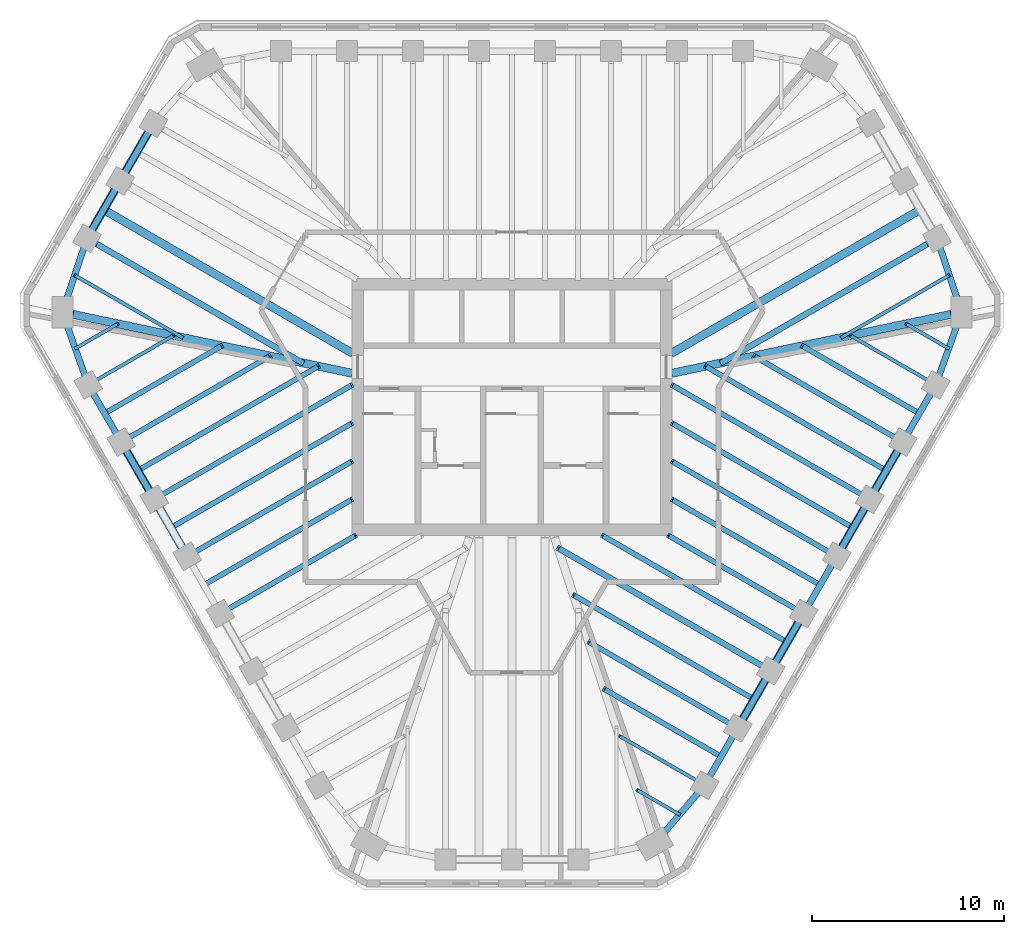
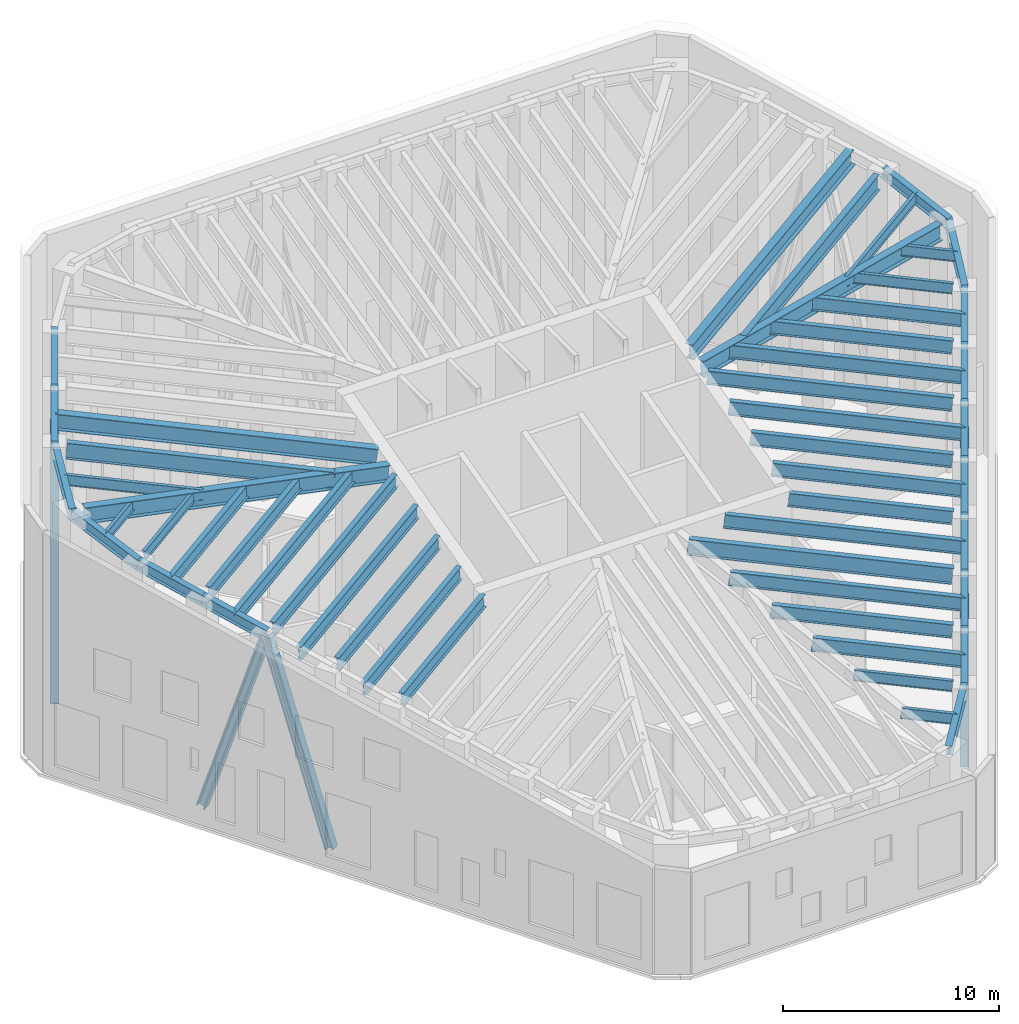
# One storey, part 2 of 9: 51 beams, 8 members.
"""IFC4 building model written with IfcOpenShell, lengths in metres."""

import ifcopenshell
import ifcopenshell.guid

model = None  # the IFC model being written
_history = None  # IfcOwnerHistory: only IFC2X3 demands one
_inside = {}  # id of a spatial element -> (the spatial element, [elements in it])
_under = {}  # id of a project, library or spatial element -> (it, [spatial elements below it])
_declared = {}  # id of a project -> (the project, [libraries it declares])
_typed = {}  # id of a type object -> (the type object, [elements of that type])
_made_of = {}  # id of a material, layer set ... -> (it, [elements and type objects made of it])


def new_model(schema):
    """Start an empty IFC model of exactly this schema.

    Asked for "IFC4X3", IfcOpenShell would pick the latest addendum, in which some entities
    have other attributes; the version numbers below select the first issue.
    IFC2X3 requires an IfcOwnerHistory on every rooted entity: one is made here for all.
    """
    global model, _history
    if schema == "IFC4X3":
        model = ifcopenshell.file(schema_version=(4, 3, 0, 0))
    else:
        model = ifcopenshell.file(schema=schema)
    _inside.clear()
    _under.clear()
    _declared.clear()
    _typed.clear()
    _made_of.clear()
    _history = None
    if model.schema == "IFC2X3":
        org = make("IfcOrganization", Name="unknown")
        user = make(
            "IfcPersonAndOrganization",
            ThePerson=make("IfcPerson", FamilyName="unknown"),
            TheOrganization=org,
        )
        app = make(
            "IfcApplication",
            ApplicationDeveloper=org,
            Version="unknown",
            ApplicationFullName="unknown",
            ApplicationIdentifier="unknown",
        )
        _history = make(
            "IfcOwnerHistory",
            OwningUser=user,
            OwningApplication=app,
            ChangeAction="ADDED",
            CreationDate=0,
        )
    return model


def make(cls, **values):
    """One entity of the class cls with the attributes given. An attribute that is None is left unset."""
    return model.create_entity(
        cls, **{name: value for name, value in values.items() if value is not None}
    )


def rooted(cls, **values):
    """An entity with a GlobalId (a new one), such as an element, a storey or a relation."""
    return make(cls, GlobalId=ifcopenshell.guid.new(), OwnerHistory=_history, **values)


def si_unit(unit_type, name, prefix=None):
    """IfcSIUnit, for example si_unit("LENGTHUNIT", "METRE", prefix="MILLI")."""
    return make("IfcSIUnit", UnitType=unit_type, Prefix=prefix, Name=name)


def assignment(units):
    """IfcUnitAssignment: the units of a project."""
    return None if units is None else make("IfcUnitAssignment", Units=units)


def point(xyz):
    """IfcCartesianPoint."""
    return None if xyz is None else make("IfcCartesianPoint", Coordinates=xyz)


def direction(xyz):
    """IfcDirection."""
    return None if xyz is None else make("IfcDirection", DirectionRatios=xyz)


def frame(location, z_axis=None, x_axis=None):
    """IfcAxis2Placement3D, a coordinate frame: its origin and axes. An axis left out is left unset."""
    return make(
        "IfcAxis2Placement3D",
        Location=point(location),
        Axis=direction(z_axis),
        RefDirection=direction(x_axis),
    )


def frame_2d(location, x_axis=None):
    """IfcAxis2Placement2D, a coordinate frame in the plane: its origin and x axis."""
    return make(
        "IfcAxis2Placement2D", Location=point(location), RefDirection=direction(x_axis)
    )


def origin():
    """The frame at (0, 0, 0) with its axes left unset."""
    return frame((0.0, 0.0, 0.0))


def origin_2d():
    """The frame at (0, 0) in the plane with its x axis left unset."""
    return frame_2d((0.0, 0.0))


def place(relative_to, where):
    """IfcLocalPlacement: puts the frame where relative to a parent placement (None: the world)."""
    return make(
        "IfcLocalPlacement", PlacementRelTo=relative_to, RelativePlacement=where
    )


def context(
    kind, dimensions, precision=None, world=None, true_north=None, identifier=None
):
    """IfcGeometricRepresentationContext, for example the 3D "Model" context."""
    return make(
        "IfcGeometricRepresentationContext",
        ContextIdentifier=identifier,
        ContextType=kind,
        CoordinateSpaceDimension=dimensions,
        Precision=precision,
        WorldCoordinateSystem=world,
        TrueNorth=true_north,
    )


def subcontext(parent, identifier, kind, view, scale=None):
    """IfcGeometricRepresentationSubContext, for example "Body" below "Model"."""
    return make(
        "IfcGeometricRepresentationSubContext",
        ContextIdentifier=identifier,
        ContextType=kind,
        ParentContext=parent,
        TargetScale=scale,
        TargetView=view,
    )


def project(units=None, contexts=None):
    """IfcProject with its units and contexts."""
    return rooted(
        "IfcProject",
        Name="project",
        RepresentationContexts=contexts,
        UnitsInContext=assignment(units),
    )


def spatial(cls, under=None, at=None, **own):
    """A site, building, storey or space (cls), placed at a placement, below another one or the project."""
    s = rooted(cls, ObjectPlacement=at, **own)
    if under is not None:
        _under.setdefault(under.id(), (under, []))[1].append(s)
    return s


def profile(cls, at=None, kind="AREA", **sizes):
    """A parametric profile (cls). Its sizes go by their IFC names, for example OverallWidth=200.0."""
    return make(cls, ProfileType=kind, Position=at, **sizes)


def i_section(**sizes):
    """IfcIShapeProfileDef."""
    return profile("IfcIShapeProfileDef", **sizes)


def extrude(swept, where, along, depth):
    """IfcExtrudedAreaSolid: the profile swept, set in the frame where, extruded along a direction by depth."""
    return make(
        "IfcExtrudedAreaSolid",
        SweptArea=swept,
        Position=where,
        ExtrudedDirection=direction(along),
        Depth=depth,
    )


def shape(context_of_items, identifier, shape_type, items):
    """IfcShapeRepresentation: the items that make up one representation, for example the "Body"."""
    return make(
        "IfcShapeRepresentation",
        ContextOfItems=context_of_items,
        RepresentationIdentifier=identifier,
        RepresentationType=shape_type,
        Items=items,
    )


def material(Name=None, Category=None):
    """IfcMaterial."""
    return make("IfcMaterial", Name=Name, Category=Category)


def material_profile(
    of_material, cross_section, Name=None, Category=None, Priority=None
):
    """IfcMaterialProfile: a cross section and its material."""
    return make(
        "IfcMaterialProfile",
        Name=Name,
        Material=of_material,
        Profile=cross_section,
        Priority=Priority,
        Category=Category,
    )


def profile_set(profiles, Name=None, composite=None):
    """IfcMaterialProfileSet."""
    return make(
        "IfcMaterialProfileSet",
        Name=Name,
        MaterialProfiles=profiles,
        CompositeProfile=composite,
    )


def made_of(thing, what):
    """Note that an element or type object is made of a material, layer set ...; save() writes the relation."""
    if what is not None:
        _made_of.setdefault(what.id(), (what, []))[1].append(thing)
    return thing


def type_object(cls, material=None, **own):
    """A type object (cls), such as IfcWallType, which elements share."""
    return made_of(rooted(cls, **own), material)


def element(
    cls,
    number,
    at=None,
    inside=None,
    cuts=None,
    type_object=None,
    material=None,
    context=None,
    identifier="Body",
    shape_type=None,
    held_by="IfcProductDefinitionShape",
    body=None,
    shapes=None,
    **own,
):
    """One element of the class cls, such as IfcWall. Its Tag is "e" and its number.

    at: its placement. inside: the storey or other place that contains it. cuts: it is an
    opening in that element (IfcRelVoidsElement). A single representation is given by context,
    identifier, shape_type and body (its items); several are given by shapes. held_by: the class
    of the entity that holds the representations. save() writes the other relations.
    """
    e = rooted(cls, Tag="e%d" % number, ObjectPlacement=at, **own)
    if body is not None:
        shapes = [shape(context, identifier, shape_type, body)]
    if shapes is not None:
        e.Representation = make(held_by, Representations=shapes)
    if inside is not None:
        _inside.setdefault(inside.id(), (inside, []))[1].append(e)
    if cuts is not None:
        rooted(
            "IfcRelVoidsElement", RelatingBuildingElement=cuts, RelatedOpeningElement=e
        )
    if type_object is not None:
        _typed.setdefault(type_object.id(), (type_object, []))[1].append(e)
    return made_of(e, material)


def aggregate(whole, parts):
    """IfcRelAggregates: a whole, such as a stair, and the parts it consists of."""
    return rooted("IfcRelAggregates", RelatingObject=whole, RelatedObjects=parts)


def save(model, path):
    """Write the relations noted so far, then the file.

    IfcRelAggregates (storeys below a building ...), IfcRelContainedInSpatialStructure (elements
    in a storey), IfcRelDefinesByType, IfcRelAssociatesMaterial and IfcRelDeclares: one each for
    every whole, place, type object, material and project.
    """
    for whole, parts in _under.values():
        aggregate(whole, parts)
    for where, things in _inside.values():
        rooted(
            "IfcRelContainedInSpatialStructure",
            RelatedElements=things,
            RelatingStructure=where,
        )
    for kind, things in _typed.values():
        rooted("IfcRelDefinesByType", RelatedObjects=things, RelatingType=kind)
    for what, things in _made_of.values():
        rooted("IfcRelAssociatesMaterial", RelatedObjects=things, RelatingMaterial=what)
    for by, libraries in _declared.values():
        rooted("IfcRelDeclares", RelatingContext=by, RelatedDefinitions=libraries)
    model.write(path)


model = new_model("IFC4")

# Units and contexts
model_context = context("Model", 3, precision=1e-05, world=origin(), true_north=direction((0.0, 1.0)))
body_context = subcontext(model_context, "Body", "Model", "MODEL_VIEW")
ifc_project = project(units=[si_unit("LENGTHUNIT", "METRE"), si_unit("AREAUNIT", "SQUARE_METRE"), si_unit("VOLUMEUNIT", "CUBIC_METRE"), si_unit("PLANEANGLEUNIT", "RADIAN"), si_unit("MASSUNIT", "GRAM", prefix="KILO")], contexts=[model_context])

# Site, building, storey
site_placement = place(None, origin())
site = spatial("IfcSite", under=ifc_project, at=site_placement, CompositionType="ELEMENT")
building_placement = place(site_placement, origin())
building = spatial("IfcBuilding", under=site, at=building_placement, Name="Sandreach Pilgrim Tower", CompositionType="ELEMENT")
storey_placement = place(building_placement, frame((0.0, 0.0, 298.800048828125)))
storey = spatial("IfcBuildingStorey", under=building, at=storey_placement, Name="L75", CompositionType="ELEMENT", Elevation=298.800048828125)

# Members
ifc_material_1 = material(Name="Steel ASTM A913 Grade 65", Category="steel")
ifc_material_profile_1 = material_profile(ifc_material_1, i_section(OverallWidth=0.424072265625, OverallDepth=0.47509765625, WebThickness=0.0478515625, FlangeThickness=0.0771484375, at=origin_2d()), Name="W14X426")
ifc_profile_set_1 = profile_set([ifc_material_profile_1], Name="Steel ASTM A913 Grade 65")
member_type = type_object("IfcMemberType", Name="Crown brace W14X426", PredefinedType="BRACE", material=ifc_profile_set_1)
for number, where, z_axis, x_axis, name in (
    (1, (20.38525390625, -1.824462890625, 0.0), (-0.150888962493, -0.261376897325, 0.953370147709), (0.866049878924, -0.499957605418, 0.0), "Crown brace SE face column 15 to 16"),
    (2, (16.940185546875, -7.79150390625, 0.0), (0.150910706557, 0.261356127286, 0.953372400155), (-0.866001476168, 0.500041441558, 0.0), "Crown brace SE face column 17 to 16"),
):
    element("IfcMember", number, at=place(storey_placement, frame(where, z_axis=z_axis, x_axis=x_axis)), inside=storey, type_object=member_type, Name=name, PredefinedType="BRACE", context=body_context, shape_type="SweptSolid", body=[
        extrude(i_section(OverallWidth=0.424072265625, OverallDepth=0.47509765625, WebThickness=0.0478515625, FlangeThickness=0.0771484375, at=origin_2d()), origin(), (0.0, 0.0, 1.0), 11.4150390625),
    ])
member_1_placement = place(storey_placement, frame((15.2177734375, -10.77490234375, 0.0), z_axis=(-0.188115794738, -0.32581676977, 0.926528941969), x_axis=(0.866019194361, -0.500010754882, 0.0)))
element("IfcMember", 3, at=member_1_placement, inside=storey, type_object=member_type, Name="Crown brace SE face column 18 to 19", PredefinedType="BRACE", context=body_context, shape_type="SweptSolid", body=[
    extrude(i_section(OverallWidth=0.424072265625, OverallDepth=0.47509765625, WebThickness=0.0478515625, FlangeThickness=0.0771484375, at=origin_2d()), origin(), (0.0, 0.0, 1.0), 9.157470703125),
])
member_2_placement = place(storey_placement, frame((11.772705078125, -16.741943359375, 0.0), z_axis=(0.188091711387, 0.32579457309, 0.926541636546), x_axis=(-0.866032163869, 0.499988291006, 0.0)))
element("IfcMember", 4, at=member_2_placement, inside=storey, type_object=member_type, Name="Crown brace SE face column 20 to 19", PredefinedType="BRACE", context=body_context, shape_type="SweptSolid", body=[
    extrude(i_section(OverallWidth=0.424072265625, OverallDepth=0.47509765625, WebThickness=0.0478515625, FlangeThickness=0.0771484375, at=origin_2d()), origin(), (0.0, 0.0, 1.0), 9.1572265625),
])
for number, where, z_axis, x_axis, name in (
    (5, (-16.940185546875, -7.79150390625, 0.0), (-0.150910706557, 0.261356127286, 0.953372400155), (-0.866001476168, -0.500041441558, 0.0), "Crown brace SW face column 31 to 32"),
    (6, (-20.38525390625, -1.824462890625, 0.0), (0.150888962493, -0.261376897325, 0.953370147709), (0.866049878924, 0.499957605418, 0.0), "Crown brace SW face column 33 to 32"),
):
    element("IfcMember", number, at=place(storey_placement, frame(where, z_axis=z_axis, x_axis=x_axis)), inside=storey, type_object=member_type, Name=name, PredefinedType="BRACE", context=body_context, shape_type="SweptSolid", body=[
        extrude(i_section(OverallWidth=0.424072265625, OverallDepth=0.47509765625, WebThickness=0.0478515625, FlangeThickness=0.0771484375, at=origin_2d()), origin(), (0.0, 0.0, 1.0), 11.4150390625),
    ])
for number, where, z_axis, x_axis, name in (
    (7, (-22.169189453125, 8.7978515625, 0.0), (0.110225566701, 0.190926150691, 0.975396088483), (-0.866036594811, 0.499980616072, 0.0), "Crown brace NW face column 36 to 37"),
    (8, (-18.70361328125, 14.80029296875, 0.0), (-0.110240909252, -0.190925823814, 0.975394418545), (0.866006089503, -0.500033451825, 0.0), "Crown brace NW face column 38 to 37"),
):
    element("IfcMember", number, at=place(storey_placement, frame(where, z_axis=z_axis, x_axis=x_axis)), inside=storey, type_object=member_type, Name=name, PredefinedType="BRACE", context=body_context, shape_type="SweptSolid", body=[
        extrude(i_section(OverallWidth=0.424072265625, OverallDepth=0.47509765625, WebThickness=0.0478515625, FlangeThickness=0.0771484375, at=origin_2d()), origin(), (0.0, 0.0, 1.0), 15.71923828125),
    ])

# Beams
ifc_material_2 = material(Name="Steel ASTM A992 Grade 50", Category="steel")
ifc_material_profile_2 = material_profile(ifc_material_2, i_section(OverallWidth=0.1787109375, OverallDepth=0.60205078125, WebThickness=0.010986328125, FlangeThickness=0.014892578125, at=origin_2d()), Name="W24X62")
ifc_profile_set_2 = profile_set([ifc_material_profile_2], Name="Steel ASTM A992 Grade 50")
beam_type_1 = type_object("IfcBeamType", Name="Crown roof beam W24X62", PredefinedType="BEAM", material=ifc_profile_set_2)
beam_1_placement = place(storey_placement, frame((21.631591796875, 1.433837890625, 12.562744140625), z_axis=(-0.858368524513, 0.495551331624, 0.132786873793), x_axis=(-0.499978837146, -0.866037621819, 0.0)))
element("IfcBeam", 9, at=beam_1_placement, inside=storey, type_object=beam_type_1, Name="BM L75 RF14", PredefinedType="BEAM", context=body_context, shape_type="SweptSolid", body=[
    extrude(i_section(OverallWidth=0.1787109375, OverallDepth=0.60205078125, WebThickness=0.010986328125, FlangeThickness=0.014892578125, at=origin_2d()), origin(), (0.0, 0.0, 1.0), 4.629638671875),
])
beam_2_placement = place(storey_placement, frame((9.573974609375, -19.450439453125, 6.966796875), z_axis=(-0.85835464352, 0.495573764141, 0.132792884762), x_axis=(-0.50000187635, -0.866024320471, 0.0)))
element("IfcBeam", 10, at=beam_2_placement, inside=storey, type_object=beam_type_1, Name="BM L75 RF21", PredefinedType="BEAM", context=body_context, shape_type="SweptSolid", body=[
    extrude(i_section(OverallWidth=0.1787109375, OverallDepth=0.60205078125, WebThickness=0.010986328125, FlangeThickness=0.014892578125, at=origin_2d()), origin(), (0.0, 0.0, 1.0), 4.62939453125),
])
beam_3_placement = place(storey_placement, frame((-21.631591796875, 1.433837890625, 12.562744140625), z_axis=(0.858368524513, 0.495551331624, 0.132786873793), x_axis=(-0.499978837146, 0.866037621819, 0.0)))
element("IfcBeam", 11, at=beam_3_placement, inside=storey, type_object=beam_type_1, Name="BM L75 RF34", PredefinedType="BEAM", context=body_context, shape_type="SweptSolid", body=[
    extrude(i_section(OverallWidth=0.1787109375, OverallDepth=0.60205078125, WebThickness=0.010986328125, FlangeThickness=0.014892578125, at=origin_2d()), origin(), (0.0, 0.0, 1.0), 4.629638671875),
])
beam_4_placement = place(storey_placement, frame((22.8125, 6.875, 14.020751953125), z_axis=(-0.858354134704, -0.495574249158, -0.132794363613), x_axis=(0.500002465655, -0.866023980233, 0.0)))
element("IfcBeam", 12, at=beam_4_placement, inside=storey, type_object=beam_type_1, Name="BM L75 RM12", PredefinedType="BEAM", context=body_context, shape_type="SweptSolid", body=[
    extrude(i_section(OverallWidth=0.1787109375, OverallDepth=0.60205078125, WebThickness=0.010986328125, FlangeThickness=0.014892578125, at=origin_2d()), origin(), (0.0, 0.0, 1.0), 6.548583984375),
])
for number, where, z_axis, x_axis, name in (
    (13, (22.78173828125, 3.0556640625, 12.997314453125), (-0.858329645644, 0.495614023415, 0.1328042138), (-0.500043261163, -0.8660004255, 0.0), "BM L75 RM13"),
    (14, (8.74462890625, -21.25732421875, 6.482666015625), (-0.858369711976, 0.495542966609, 0.132810413024), (-0.49997198835, -0.866041575714, 0.0), "BM L75 RM21"),
    (15, (-22.78173828125, 3.0556640625, 12.997314453125), (0.858329645644, 0.495614023415, 0.1328042138), (-0.500043261163, 0.8660004255, 0.0), "BM L75 RM34"),
):
    element("IfcBeam", number, at=place(storey_placement, frame(where, z_axis=z_axis, x_axis=x_axis)), inside=storey, type_object=beam_type_1, Name=name, PredefinedType="BEAM", context=body_context, shape_type="SweptSolid", body=[
        extrude(i_section(OverallWidth=0.1787109375, OverallDepth=0.60205078125, WebThickness=0.010986328125, FlangeThickness=0.014892578125, at=origin_2d()), origin(), (0.0, 0.0, 1.0), 2.592041015625),
    ])
beam_5_placement = place(storey_placement, frame((-22.8125, 6.875, 14.020751953125), z_axis=(0.858354134704, -0.495574249158, -0.132794363613), x_axis=(0.500002465655, 0.866023980233, 0.0)))
element("IfcBeam", 16, at=beam_5_placement, inside=storey, type_object=beam_type_1, Name="BM L75 RM35", PredefinedType="BEAM", context=body_context, shape_type="SweptSolid", body=[
    extrude(i_section(OverallWidth=0.1787109375, OverallDepth=0.60205078125, WebThickness=0.010986328125, FlangeThickness=0.014892578125, at=origin_2d()), origin(), (0.0, 0.0, 1.0), 6.548583984375),
])
ifc_material_3 = material(Name="Steel ASTM A992 Grade 50", Category="steel")
ifc_material_profile_3 = material_profile(ifc_material_3, i_section(OverallWidth=0.2666015625, OverallDepth=0.761962890625, WebThickness=0.014404296875, FlangeThickness=0.021484375, at=origin_2d()), Name="W30X116")
ifc_profile_set_3 = profile_set([ifc_material_profile_3], Name="Steel ASTM A992 Grade 50")
beam_type_2 = type_object("IfcBeamType", Name="Crown roof beam W30X116", PredefinedType="BEAM", material=ifc_profile_set_3)
beam_6_placement = place(storey_placement, frame((19.908935546875, -1.549560546875, 11.6826171875), z_axis=(-0.858358380166, 0.495570202154, 0.132782024143), x_axis=(-0.499997548519, -0.866026819143, 0.0)))
element("IfcBeam", 17, at=beam_6_placement, inside=storey, type_object=beam_type_2, Name="BM L75 RF15", PredefinedType="BEAM", context=body_context, shape_type="SweptSolid", body=[
    extrude(i_section(OverallWidth=0.2666015625, OverallDepth=0.761962890625, WebThickness=0.014404296875, FlangeThickness=0.021484375, at=origin_2d()), origin(), (0.0, 0.0, 1.0), 8.5),
])
beam_7_placement = place(storey_placement, frame((16.4638671875, -7.516357421875, 10.083740234375), z_axis=(-0.858350506785, 0.495577707293, 0.132804907802), x_axis=(-0.5000066674, -0.866021554325, 0.0)))
element("IfcBeam", 18, at=beam_7_placement, inside=storey, type_object=beam_type_2, Name="BM L75 RF17", PredefinedType="BEAM", context=body_context, shape_type="SweptSolid", body=[
    extrude(i_section(OverallWidth=0.2666015625, OverallDepth=0.761962890625, WebThickness=0.014404296875, FlangeThickness=0.021484375, at=origin_2d()), origin(), (0.0, 0.0, 1.0), 9.45263671875),
])
beam_8_placement = place(storey_placement, frame((14.741455078125, -10.5, 9.284423828125), z_axis=(-0.858355438928, 0.495578560292, 0.132769842365), x_axis=(-0.500005158081, -0.866022425744, 0.0)))
element("IfcBeam", 19, at=beam_8_placement, inside=storey, type_object=beam_type_2, Name="BM L75 RF18", PredefinedType="BEAM", context=body_context, shape_type="SweptSolid", body=[
    extrude(i_section(OverallWidth=0.2666015625, OverallDepth=0.761962890625, WebThickness=0.014404296875, FlangeThickness=0.021484375, at=origin_2d()), origin(), (0.0, 0.0, 1.0), 7.66796875),
])
beam_9_placement = place(storey_placement, frame((11.29638671875, -16.466796875, 7.685546875), z_axis=(-0.858358380166, 0.495570202154, 0.132782024143), x_axis=(-0.499997548519, -0.866026819143, 0.0)))
element("IfcBeam", 20, at=beam_9_placement, inside=storey, type_object=beam_type_2, Name="BM L75 RF20", PredefinedType="BEAM", context=body_context, shape_type="SweptSolid", body=[
    extrude(i_section(OverallWidth=0.2666015625, OverallDepth=0.761962890625, WebThickness=0.014404296875, FlangeThickness=0.021484375, at=origin_2d()), origin(), (0.0, 0.0, 1.0), 8.5),
])
beam_10_placement = place(storey_placement, frame((-14.741455078125, -10.5, 9.284423828125), z_axis=(0.858355438928, 0.495578560292, 0.132769842365), x_axis=(-0.500005158081, 0.866022425744, 0.0)))
element("IfcBeam", 21, at=beam_10_placement, inside=storey, type_object=beam_type_2, Name="BM L75 RF30", PredefinedType="BEAM", context=body_context, shape_type="SweptSolid", body=[
    extrude(i_section(OverallWidth=0.2666015625, OverallDepth=0.761962890625, WebThickness=0.014404296875, FlangeThickness=0.021484375, at=origin_2d()), origin(), (0.0, 0.0, 1.0), 7.66796875),
])
beam_11_placement = place(storey_placement, frame((-16.4638671875, -7.516357421875, 10.083740234375), z_axis=(0.858350506785, 0.495577707293, 0.132804907802), x_axis=(-0.5000066674, 0.866021554325, 0.0)))
element("IfcBeam", 22, at=beam_11_placement, inside=storey, type_object=beam_type_2, Name="BM L75 RF31", PredefinedType="BEAM", context=body_context, shape_type="SweptSolid", body=[
    extrude(i_section(OverallWidth=0.2666015625, OverallDepth=0.761962890625, WebThickness=0.014404296875, FlangeThickness=0.021484375, at=origin_2d()), origin(), (0.0, 0.0, 1.0), 9.45263671875),
])
beam_12_placement = place(storey_placement, frame((-19.908935546875, -1.549560546875, 11.6826171875), z_axis=(0.858358380166, 0.495570202154, 0.132782024143), x_axis=(-0.499997548519, 0.866026819143, 0.0)))
element("IfcBeam", 23, at=beam_12_placement, inside=storey, type_object=beam_type_2, Name="BM L75 RF33", PredefinedType="BEAM", context=body_context, shape_type="SweptSolid", body=[
    extrude(i_section(OverallWidth=0.2666015625, OverallDepth=0.761962890625, WebThickness=0.014404296875, FlangeThickness=0.021484375, at=origin_2d()), origin(), (0.0, 0.0, 1.0), 8.5),
])
beam_13_placement = place(storey_placement, frame((21.24658203125, -0.332763671875, 12.008544921875), z_axis=(-0.858357551154, 0.495565009958, 0.132806759173), x_axis=(-0.499993981732, -0.866028878405, 0.0)))
element("IfcBeam", 24, at=beam_13_placement, inside=storey, type_object=beam_type_2, Name="BM L75 RM14", PredefinedType="BEAM", context=body_context, shape_type="SweptSolid", body=[
    extrude(i_section(OverallWidth=0.2666015625, OverallDepth=0.761962890625, WebThickness=0.014404296875, FlangeThickness=0.021484375, at=origin_2d()), origin(), (0.0, 0.0, 1.0), 7.119873046875),
])
beam_14_placement = place(storey_placement, frame((16.0791015625, -9.283203125, 9.6103515625), z_axis=(-0.858351920384, 0.495576359871, 0.132800799357), x_axis=(-0.500005030229, -0.866022499561, 0.0)))
element("IfcBeam", 25, at=beam_14_placement, inside=storey, type_object=beam_type_2, Name="BM L75 RM17", PredefinedType="BEAM", context=body_context, shape_type="SweptSolid", body=[
    extrude(i_section(OverallWidth=0.2666015625, OverallDepth=0.761962890625, WebThickness=0.014404296875, FlangeThickness=0.021484375, at=origin_2d()), origin(), (0.0, 0.0, 1.0), 9.00439453125),
])
beam_15_placement = place(storey_placement, frame((10.911376953125, -18.233642578125, 7.212158203125), z_axis=(-0.858352433424, 0.495581853216, 0.132776981432), x_axis=(-0.50000896287, -0.866020229007, 0.0)))
element("IfcBeam", 26, at=beam_15_placement, inside=storey, type_object=beam_type_2, Name="BM L75 RM20", PredefinedType="BEAM", context=body_context, shape_type="SweptSolid", body=[
    extrude(i_section(OverallWidth=0.2666015625, OverallDepth=0.761962890625, WebThickness=0.014404296875, FlangeThickness=0.021484375, at=origin_2d()), origin(), (0.0, 0.0, 1.0), 7.11962890625),
])
beam_16_placement = place(storey_placement, frame((-16.0791015625, -9.283203125, 9.6103515625), z_axis=(0.858351920384, 0.495576359871, 0.132800799357), x_axis=(-0.500005030229, 0.866022499561, 0.0)))
element("IfcBeam", 27, at=beam_16_placement, inside=storey, type_object=beam_type_2, Name="BM L75 RM30", PredefinedType="BEAM", context=body_context, shape_type="SweptSolid", body=[
    extrude(i_section(OverallWidth=0.2666015625, OverallDepth=0.761962890625, WebThickness=0.014404296875, FlangeThickness=0.021484375, at=origin_2d()), origin(), (0.0, 0.0, 1.0), 9.00439453125),
])
beam_17_placement = place(storey_placement, frame((-21.24658203125, -0.332763671875, 12.008544921875), z_axis=(0.858357551154, 0.495565009958, 0.132806759173), x_axis=(-0.499993981732, 0.866028878405, 0.0)))
element("IfcBeam", 28, at=beam_17_placement, inside=storey, type_object=beam_type_2, Name="BM L75 RM33", PredefinedType="BEAM", context=body_context, shape_type="SweptSolid", body=[
    extrude(i_section(OverallWidth=0.2666015625, OverallDepth=0.761962890625, WebThickness=0.014404296875, FlangeThickness=0.021484375, at=origin_2d()), origin(), (0.0, 0.0, 1.0), 7.119873046875),
])
ifc_material_4 = material(Name="Steel ASTM A992 Grade 50", Category="steel")
ifc_material_profile_4 = material_profile(ifc_material_4, i_section(OverallWidth=0.2666015625, OverallDepth=0.77978515625, WebThickness=0.0166015625, FlangeThickness=0.030029296875, at=origin_2d()), Name="W30X148")
ifc_profile_set_4 = profile_set([ifc_material_profile_4], Name="Steel ASTM A992 Grade 50")
beam_type_3 = type_object("IfcBeamType", Name="Crown roof beam W30X148", PredefinedType="BEAM", material=ifc_profile_set_4)
for number, where, z_axis, x_axis, name in (
    (29, (18.1865234375, -4.532958984375, 10.874267578125), (-0.858359992285, 0.495564948636, 0.132791209529), (-0.499992868851, -0.866029520916, 0.0), "BM L75 RF16"),
    (30, (-18.1865234375, -4.532958984375, 10.874267578125), (0.858359992285, 0.495564948636, 0.132791209529), (-0.499992868851, 0.866029520916, 0.0), "BM L75 RF32"),
):
    element("IfcBeam", number, at=place(storey_placement, frame(where, z_axis=z_axis, x_axis=x_axis)), inside=storey, type_object=beam_type_3, Name=name, PredefinedType="BEAM", context=body_context, shape_type="SweptSolid", body=[
        extrude(i_section(OverallWidth=0.2666015625, OverallDepth=0.77978515625, WebThickness=0.0166015625, FlangeThickness=0.030029296875, at=origin_2d()), origin(), (0.0, 0.0, 1.0), 11.45947265625),
    ])
beam_18_placement = place(storey_placement, frame((19.52392578125, -3.316162109375, 11.2001953125), z_axis=(-0.858359417132, 0.495565338288, 0.13279347314), x_axis=(-0.499993414976, -0.866029205616, 0.0)))
element("IfcBeam", 31, at=beam_18_placement, inside=storey, type_object=beam_type_3, Name="BM L75 RM15", PredefinedType="BEAM", context=body_context, shape_type="SweptSolid", body=[
    extrude(i_section(OverallWidth=0.2666015625, OverallDepth=0.77978515625, WebThickness=0.0166015625, FlangeThickness=0.030029296875, at=origin_2d()), origin(), (0.0, 0.0, 1.0), 10.990478515625),
])
beam_19_placement = place(storey_placement, frame((17.801513671875, -6.2998046875, 10.40087890625), z_axis=(-0.858355698202, 0.495572758776, 0.132789819351), x_axis=(-0.500000654818, -0.866025025725, 0.0)))
element("IfcBeam", 32, at=beam_19_placement, inside=storey, type_object=beam_type_3, Name="BM L75 RM16", PredefinedType="BEAM", context=body_context, shape_type="SweptSolid", body=[
    extrude(i_section(OverallWidth=0.2666015625, OverallDepth=0.77978515625, WebThickness=0.0166015625, FlangeThickness=0.030029296875, at=origin_2d()), origin(), (0.0, 0.0, 1.0), 11.010986328125),
])
beam_20_placement = place(storey_placement, frame((14.3564453125, -12.2666015625, 8.802001953125), z_axis=(-0.858360440851, 0.495568237709, 0.132776034567), x_axis=(-0.499995161746, -0.866028197134, 0.0)))
element("IfcBeam", 33, at=beam_20_placement, inside=storey, type_object=beam_type_3, Name="BM L75 RM18", PredefinedType="BEAM", context=body_context, shape_type="SweptSolid", body=[
    extrude(i_section(OverallWidth=0.2666015625, OverallDepth=0.77978515625, WebThickness=0.0166015625, FlangeThickness=0.030029296875, at=origin_2d()), origin(), (0.0, 0.0, 1.0), 11.23291015625),
])
beam_21_placement = place(storey_placement, frame((12.634033203125, -15.250244140625, 8.00244140625), z_axis=(-0.858349967966, 0.495582096357, 0.132792011296), x_axis=(-0.500010223979, -0.866019500887, 0.0)))
element("IfcBeam", 34, at=beam_21_placement, inside=storey, type_object=beam_type_3, Name="BM L75 RM19", PredefinedType="BEAM", context=body_context, shape_type="SweptSolid", body=[
    extrude(i_section(OverallWidth=0.2666015625, OverallDepth=0.77978515625, WebThickness=0.0166015625, FlangeThickness=0.030029296875, at=origin_2d()), origin(), (0.0, 0.0, 1.0), 10.99072265625),
])
beam_22_placement = place(storey_placement, frame((-17.801513671875, -6.2998046875, 10.40087890625), z_axis=(0.858355698202, 0.495572758776, 0.132789819351), x_axis=(-0.500000654818, 0.866025025725, 0.0)))
element("IfcBeam", 35, at=beam_22_placement, inside=storey, type_object=beam_type_3, Name="BM L75 RM31", PredefinedType="BEAM", context=body_context, shape_type="SweptSolid", body=[
    extrude(i_section(OverallWidth=0.2666015625, OverallDepth=0.77978515625, WebThickness=0.0166015625, FlangeThickness=0.030029296875, at=origin_2d()), origin(), (0.0, 0.0, 1.0), 11.010986328125),
])
beam_23_placement = place(storey_placement, frame((-19.52392578125, -3.316162109375, 11.2001953125), z_axis=(0.858359417132, 0.495565338288, 0.13279347314), x_axis=(-0.499993414976, 0.866029205616, 0.0)))
element("IfcBeam", 36, at=beam_23_placement, inside=storey, type_object=beam_type_3, Name="BM L75 RM32", PredefinedType="BEAM", context=body_context, shape_type="SweptSolid", body=[
    extrude(i_section(OverallWidth=0.2666015625, OverallDepth=0.77978515625, WebThickness=0.0166015625, FlangeThickness=0.030029296875, at=origin_2d()), origin(), (0.0, 0.0, 1.0), 10.990478515625),
])
ifc_material_5 = material(Name="Steel ASTM A992 Grade 50", Category="steel")
ifc_material_profile_5 = material_profile(ifc_material_5, i_section(OverallWidth=0.3046875, OverallDepth=0.914306640625, WebThickness=0.0166015625, FlangeThickness=0.02587890625, at=origin_2d()), Name="W36X160")
ifc_profile_set_5 = profile_set([ifc_material_profile_5], Name="Steel ASTM A992 Grade 50")
beam_type_4 = type_object("IfcBeamType", Name="Crown roof beam W36X160", PredefinedType="BEAM", material=ifc_profile_set_5)
beam_24_placement = place(storey_placement, frame((21.69287109375, 8.522705078125, 14.3046875), z_axis=(-0.858359320328, -0.495565910067, -0.132791965061), x_axis=(0.499993889937, -0.866028931402, 0.0)))
element("IfcBeam", 37, at=beam_24_placement, inside=storey, type_object=beam_type_4, Name="BM L75 RF12", PredefinedType="BEAM", context=body_context, shape_type="SweptSolid", body=[
    extrude(i_section(OverallWidth=0.3046875, OverallDepth=0.914306640625, WebThickness=0.0166015625, FlangeThickness=0.02587890625, at=origin_2d()), origin(), (0.0, 0.0, 1.0), 12.54248046875),
])
beam_25_placement = place(storey_placement, frame((13.018798828125, -13.4833984375, 8.407958984375), z_axis=(-0.85834913421, 0.49558245869, 0.132796048285), x_axis=(-0.500010862412, -0.866019132277, 0.0)))
element("IfcBeam", 38, at=beam_25_placement, inside=storey, type_object=beam_type_4, Name="BM L75 RF19", PredefinedType="BEAM", context=body_context, shape_type="SweptSolid", body=[
    extrude(i_section(OverallWidth=0.3046875, OverallDepth=0.914306640625, WebThickness=0.0166015625, FlangeThickness=0.02587890625, at=origin_2d()), origin(), (0.0, 0.0, 1.0), 12.37109375),
])
beam_26_placement = place(storey_placement, frame((-21.69287109375, 8.522705078125, 14.3046875), z_axis=(0.858359320328, -0.495565910067, -0.132791965061), x_axis=(0.499993889937, 0.866028931402, 0.0)))
element("IfcBeam", 39, at=beam_26_placement, inside=storey, type_object=beam_type_4, Name="BM L75 RF36", PredefinedType="BEAM", context=body_context, shape_type="SweptSolid", body=[
    extrude(i_section(OverallWidth=0.3046875, OverallDepth=0.914306640625, WebThickness=0.0166015625, FlangeThickness=0.02587890625, at=origin_2d()), origin(), (0.0, 0.0, 1.0), 12.54248046875),
])
ifc_material_6 = material(Name="Steel ASTM A992 Grade 50", Category="steel")
ifc_material_profile_6 = material_profile(ifc_material_6, i_section(OverallWidth=0.419189453125, OverallDepth=0.927001953125, WebThickness=0.019287109375, FlangeThickness=0.031982421875, at=origin_2d()), Name="W36X231")
ifc_profile_set_6 = profile_set([ifc_material_profile_6], Name="Steel ASTM A992 Grade 50")
beam_type_5 = type_object("IfcBeamType", Name="Crown roof beam W36X231", PredefinedType="BEAM", material=ifc_profile_set_6)
for number, where, z_axis, x_axis, name in (
    (40, (21.302978515625, 10.29833984375, 14.77392578125), (-0.858357786428, -0.495567945643, -0.132794283498), (0.499996100399, -0.866027655208, 0.0), "BM L75 RM11"),
    (41, (-21.302978515625, 10.29833984375, 14.77392578125), (0.858357786428, -0.495567945643, -0.132794283498), (0.499996100399, 0.866027655208, 0.0), "BM L75 RM36"),
):
    element("IfcBeam", number, at=place(storey_placement, frame(where, z_axis=z_axis, x_axis=x_axis)), inside=storey, type_object=beam_type_5, Name=name, PredefinedType="BEAM", context=body_context, shape_type="SweptSolid", body=[
        extrude(i_section(OverallWidth=0.419189453125, OverallDepth=0.927001953125, WebThickness=0.019287109375, FlangeThickness=0.031982421875, at=origin_2d()), origin(), (0.0, 0.0, 1.0), 15.09033203125),
    ])
ifc_material_7 = material(Name="Steel ASTM A992 Grade 50", Category="steel")
ifc_material_profile_7 = material_profile(ifc_material_7, i_section(OverallWidth=0.32763671875, OverallDepth=0.622314453125, WebThickness=0.015380859375, FlangeThickness=0.0244140625, at=origin_2d()), Name="W24X131")
ifc_profile_set_7 = profile_set([ifc_material_profile_7], Name="Steel ASTM A992 Grade 50")
beam_type_6 = type_object("IfcBeamType", Name="Crown roof edge beam W24X131", PredefinedType="BEAM", material=ifc_profile_set_7)
beam_27_placement = place(storey_placement, frame((22.169189453125, 8.7978515625, 14.5283203125), z_axis=(0.3075225052, -0.919124664023, -0.246251417826), x_axis=(0.948327475578, 0.317293238289, 0.0)))
element("IfcBeam", 42, at=beam_27_placement, inside=storey, type_object=beam_type_6, Name="BM L75 CR12", PredefinedType="BEAM", context=body_context, shape_type="SweptSolid", body=[
    extrude(i_section(OverallWidth=0.32763671875, OverallDepth=0.622314453125, WebThickness=0.015380859375, FlangeThickness=0.0244140625, at=origin_2d()), origin(), (0.0, 0.0, 1.0), 4.183837890625),
])
beam_28_placement = place(storey_placement, frame((23.455810546875, 4.952392578125, 13.498046875), z_axis=(-0.324629123468, -0.91361842428, -0.244780119724), x_axis=(0.94228400773, -0.33481464839, 0.0)))
element("IfcBeam", 43, at=beam_28_placement, inside=storey, type_object=beam_type_6, Name="BM L75 CR13", PredefinedType="BEAM", context=body_context, shape_type="SweptSolid", body=[
    extrude(i_section(OverallWidth=0.32763671875, OverallDepth=0.622314453125, WebThickness=0.015380859375, FlangeThickness=0.0244140625, at=origin_2d()), origin(), (0.0, 0.0, 1.0), 4.152099609375),
])
for number, where, z_axis, x_axis, name in (
    (44, (22.10791015625, 1.158935546875, 12.481689453125), (-0.487094506863, -0.843579205479, -0.226081988375), (0.866001476168, -0.500041441558, 0.0), "BM L75 CR14"),
    (45, (20.38525390625, -1.824462890625, 11.68212890625), (-0.487021086546, -0.843640637658, -0.22601091954), (0.866049878924, -0.499957605418, 0.0), "BM L75 CR15"),
    (46, (18.662841796875, -4.80810546875, 10.8828125), (-0.487094506863, -0.843579205479, -0.226081988375), (0.866001476168, -0.500041441558, 0.0), "BM L75 CR16"),
):
    element("IfcBeam", number, at=place(storey_placement, frame(where, z_axis=z_axis, x_axis=x_axis)), inside=storey, type_object=beam_type_6, Name=name, PredefinedType="BEAM", context=body_context, shape_type="SweptSolid", body=[
        extrude(i_section(OverallWidth=0.32763671875, OverallDepth=0.622314453125, WebThickness=0.015380859375, FlangeThickness=0.0244140625, at=origin_2d()), origin(), (0.0, 0.0, 1.0), 3.53662109375),
    ])
beam_29_placement = place(storey_placement, frame((16.940185546875, -7.79150390625, 10.083251953125), z_axis=(-0.487049451114, -0.843620736019, -0.226024082629), x_axis=(0.866032163869, -0.499988291006, 0.0)))
element("IfcBeam", 47, at=beam_29_placement, inside=storey, type_object=beam_type_6, Name="BM L75 CR17", PredefinedType="BEAM", context=body_context, shape_type="SweptSolid", body=[
    extrude(i_section(OverallWidth=0.32763671875, OverallDepth=0.622314453125, WebThickness=0.015380859375, FlangeThickness=0.0244140625, at=origin_2d()), origin(), (0.0, 0.0, 1.0), 3.536376953125),
])
beam_30_placement = place(storey_placement, frame((15.2177734375, -10.77490234375, 9.283935546875), z_axis=(-0.487073742258, -0.843612273828, -0.226003320883), x_axis=(0.866019194361, -0.500010754882, 0.0)))
element("IfcBeam", 48, at=beam_30_placement, inside=storey, type_object=beam_type_6, Name="BM L75 CR18", PredefinedType="BEAM", context=body_context, shape_type="SweptSolid", body=[
    extrude(i_section(OverallWidth=0.32763671875, OverallDepth=0.622314453125, WebThickness=0.015380859375, FlangeThickness=0.0244140625, at=origin_2d()), origin(), (0.0, 0.0, 1.0), 3.536865234375),
])
for number, where, z_axis, x_axis, name in (
    (49, (13.4951171875, -13.758544921875, 8.484619140625), (-0.487041850302, -0.843607570616, -0.226089590325), (0.866032163869, -0.499988291006, 0.0), "BM L75 CR19"),
    (50, (11.772705078125, -16.741943359375, 7.68505859375), (-0.487049451114, -0.843620736019, -0.226024082629), (0.866032163869, -0.499988291006, 0.0), "BM L75 CR20"),
):
    element("IfcBeam", number, at=place(storey_placement, frame(where, z_axis=z_axis, x_axis=x_axis)), inside=storey, type_object=beam_type_6, Name=name, PredefinedType="BEAM", context=body_context, shape_type="SweptSolid", body=[
        extrude(i_section(OverallWidth=0.32763671875, OverallDepth=0.622314453125, WebThickness=0.015380859375, FlangeThickness=0.0244140625, at=origin_2d()), origin(), (0.0, 0.0, 1.0), 3.536376953125),
    ])
beam_31_placement = place(storey_placement, frame((10.05029296875, -19.725341796875, 6.8857421875), z_axis=(-0.635504348838, -0.745789161502, -0.199831802257), x_axis=(0.761141215958, -0.648586192707, 0.0)))
element("IfcBeam", 51, at=beam_31_placement, inside=storey, type_object=beam_type_6, Name="BM L75 CR21", PredefinedType="BEAM", context=body_context, shape_type="SweptSolid", body=[
    extrude(i_section(OverallWidth=0.32763671875, OverallDepth=0.622314453125, WebThickness=0.015380859375, FlangeThickness=0.0244140625, at=origin_2d()), origin(), (0.0, 0.0, 1.0), 4.108642578125),
])
for number, where, z_axis, x_axis, name in (
    (52, (-18.662841796875, -4.80810546875, 10.8828125), (-0.487021086546, 0.843640637658, 0.22601091954), (-0.866049878924, -0.499957605418, 0.0), "BM L75 CR32"),
    (53, (-20.38525390625, -1.824462890625, 11.68212890625), (-0.487094506863, 0.843579205479, 0.226081988375), (-0.866001476168, -0.500041441558, 0.0), "BM L75 CR33"),
):
    element("IfcBeam", number, at=place(storey_placement, frame(where, z_axis=z_axis, x_axis=x_axis)), inside=storey, type_object=beam_type_6, Name=name, PredefinedType="BEAM", context=body_context, shape_type="SweptSolid", body=[
        extrude(i_section(OverallWidth=0.32763671875, OverallDepth=0.622314453125, WebThickness=0.015380859375, FlangeThickness=0.0244140625, at=origin_2d()), origin(), (0.0, 0.0, 1.0), 3.53662109375),
    ])
beam_32_placement = place(storey_placement, frame((-22.10791015625, 1.158935546875, 12.481689453125), z_axis=(-0.324629123468, 0.91361842428, 0.244780119724), x_axis=(-0.94228400773, -0.33481464839, 0.0)))
element("IfcBeam", 54, at=beam_32_placement, inside=storey, type_object=beam_type_6, Name="BM L75 CR34", PredefinedType="BEAM", context=body_context, shape_type="SweptSolid", body=[
    extrude(i_section(OverallWidth=0.32763671875, OverallDepth=0.622314453125, WebThickness=0.015380859375, FlangeThickness=0.0244140625, at=origin_2d()), origin(), (0.0, 0.0, 1.0), 4.152099609375),
])
beam_33_placement = place(storey_placement, frame((-23.455810546875, 4.952392578125, 13.498046875), z_axis=(0.3075225052, 0.919124664023, 0.246251417826), x_axis=(-0.948327475578, 0.317293238289, 0.0)))
element("IfcBeam", 55, at=beam_33_placement, inside=storey, type_object=beam_type_6, Name="BM L75 CR35", PredefinedType="BEAM", context=body_context, shape_type="SweptSolid", body=[
    extrude(i_section(OverallWidth=0.32763671875, OverallDepth=0.622314453125, WebThickness=0.015380859375, FlangeThickness=0.0244140625, at=origin_2d()), origin(), (0.0, 0.0, 1.0), 4.183837890625),
])
for number, where, z_axis, x_axis, name in (
    (56, (-22.169189453125, 8.7978515625, 14.5283203125), (0.487038510147, 0.843619051041, 0.226053945671), (-0.866036594811, 0.499980616072, 0.0), "BM L75 CR36"),
    (57, (-20.4365234375, 11.799072265625, 15.33251953125), (0.487090854966, 0.843590853776, 0.226046390005), (-0.866006089503, 0.500033451825, 0.0), "BM L75 CR37"),
):
    element("IfcBeam", number, at=place(storey_placement, frame(where, z_axis=z_axis, x_axis=x_axis)), inside=storey, type_object=beam_type_6, Name=name, PredefinedType="BEAM", context=body_context, shape_type="SweptSolid", body=[
        extrude(i_section(OverallWidth=0.32763671875, OverallDepth=0.622314453125, WebThickness=0.015380859375, FlangeThickness=0.0244140625, at=origin_2d()), origin(), (0.0, 0.0, 1.0), 3.5576171875),
    ])
ifc_material_8 = material(Name="Steel ASTM A992 Grade 50", Category="steel")
ifc_material_profile_8 = material_profile(ifc_material_8, i_section(OverallWidth=0.419189453125, OverallDepth=0.927001953125, WebThickness=0.019287109375, FlangeThickness=0.031982421875, at=origin_2d()), Name="W36X231")
ifc_profile_set_8 = profile_set([ifc_material_profile_8], Name="Steel ASTM A992 Grade 50")
beam_type_7 = type_object("IfcBeamType", Name="Crown roof girder W36X231", PredefinedType="BEAM", material=ifc_profile_set_8)
for number, where, z_axis, x_axis, name in (
    (58, (22.917724609375, 4.838623046875, 13.314453125), (-0.97693448179, -0.206261552927, -0.055273773828), (0.206577360876, -0.978430270369, 0.0), "BM L75 RG13"),
    (59, (-22.917724609375, 4.838623046875, 13.314453125), (0.97693448179, -0.206261552927, -0.055273773828), (0.206577360876, 0.978430270369, 0.0), "BM L75 RG35"),
):
    element("IfcBeam", number, at=place(storey_placement, frame(where, z_axis=z_axis, x_axis=x_axis)), inside=storey, type_object=beam_type_7, Name=name, PredefinedType="BEAM", context=body_context, shape_type="SweptSolid", body=[
        extrude(i_section(OverallWidth=0.419189453125, OverallDepth=0.927001953125, WebThickness=0.019287109375, FlangeThickness=0.031982421875, at=origin_2d()), origin(), (0.0, 0.0, 1.0), 14.91162109375),
    ])

save(model, "model.ifc")
